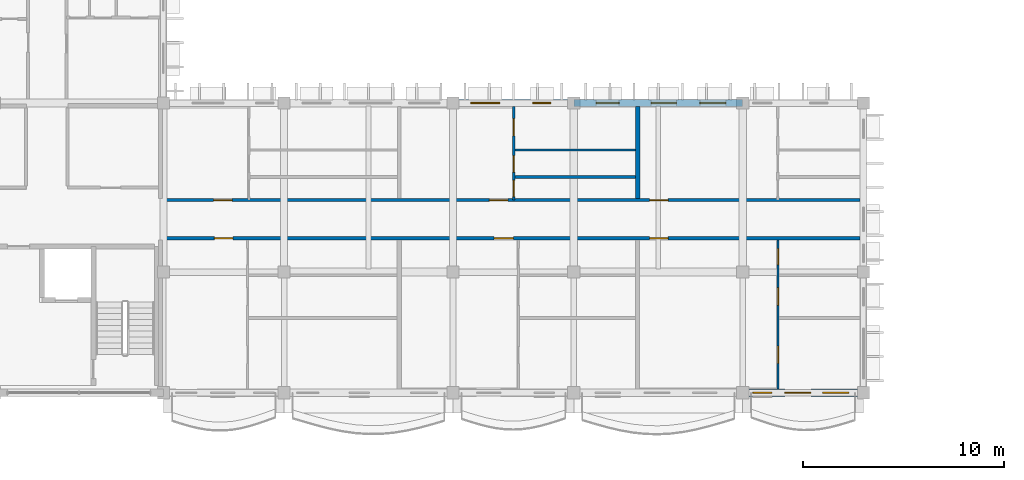
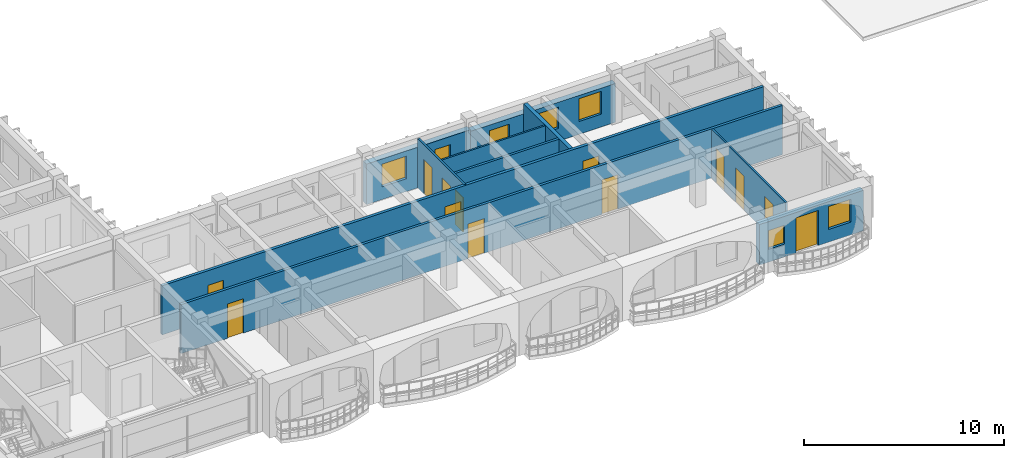
# One storey, part 44 of 101: 13 doors, 10 walls, 7 windows, 20 openings.
"""IFC4 building model written with IfcOpenShell, lengths in metres."""

from ifc_helpers import new_model, si_unit, direction, frame, frame_2d, origin, place, context, subcontext, project, spatial, rectangle, extrude, material, layer, layer_set, type_object, element, fill, save


model = new_model("IFC4")

# Units and contexts
model_context = context("Model", 3, precision=1e-05, world=origin(), true_north=direction((0.0, 1.0)))
body_context = subcontext(model_context, "Body", "Model", "MODEL_VIEW")
ifc_project = project(units=[si_unit("LENGTHUNIT", "METRE"), si_unit("AREAUNIT", "SQUARE_METRE"), si_unit("VOLUMEUNIT", "CUBIC_METRE"), si_unit("PLANEANGLEUNIT", "RADIAN"), si_unit("MASSUNIT", "GRAM", prefix="KILO"), si_unit("THERMODYNAMICTEMPERATUREUNIT", "KELVIN")], contexts=[model_context])

# Site, building, storey
site_placement = place(None, origin())
site = spatial("IfcSite", under=ifc_project, at=site_placement, CompositionType="ELEMENT")
building_placement = place(site_placement, origin())
building = spatial("IfcBuilding", under=site, at=building_placement, Name="Thalorik Housing Commons", CompositionType="ELEMENT")
storey_placement = place(building_placement, frame((0.0, 0.0, 8.10009765625)))
storey = spatial("IfcBuildingStorey", under=building, at=storey_placement, Name="L02", CompositionType="ELEMENT", Elevation=8.10009765625)

# Wall, openings, doors
ifc_material_1 = material(Name="Masonry fire-rated corridor wall", Category="masonry")
ifc_layer_1 = layer(ifc_material_1, 0.14990234375, Name="Masonry fire-rated corridor wall", Category="masonry")
ifc_layer_set_1 = layer_set([ifc_layer_1], Name="Masonry fire-rated corridor wall")
wall_type_1 = type_object("IfcWallType", Name="ARC-WAL-CORR-150", PredefinedType="PARTITIONING", material=ifc_layer_set_1)
wall_1_placement = place(storey_placement, frame((22.659912109375, 16.080078125, 0.0), z_axis=(0.0, 0.0, 1.0), x_axis=(1.0, 0.0, 0.0)))
wall_1 = element("IfcWall", 1, at=wall_1_placement, inside=storey, type_object=wall_type_1, Name="L02 Block C S Corridor Wall 1", PredefinedType="PARTITIONING", context=body_context, shape_type="SweptSolid", body=[
    extrude(rectangle(XDim=34.76318359375, YDim=0.14990234375, at=frame_2d((17.381591796875, 0.0))), origin(), (0.0, 0.0, 1.0), 3.0),
])
opening_1_placement = place(wall_1_placement, frame((2.671630859375, 0.0, 0.0)))
opening_1 = element("IfcOpeningElement", 2, at=opening_1_placement, cuts=wall_1, Name="Opening ID-1644", PredefinedType="OPENING", context=body_context, shape_type="SweptSolid", body=[
    extrude(rectangle(XDim=0.919921875, YDim=2.10009765625, at=frame_2d((0.4599609375, 1.050048828125))), frame((0.0, 0.0849609375, 0.0), z_axis=(0.0, -1.0, 0.0), x_axis=(1.0, 0.0, 0.0)), (0.0, 0.0, 1.0), 0.169921875),
])
opening_2_placement = place(wall_1_placement, frame((16.580078125, 0.0, 0.0)))
opening_2 = element("IfcOpeningElement", 3, at=opening_2_placement, cuts=wall_1, Name="Opening ID-1645", PredefinedType="OPENING", context=body_context, shape_type="SweptSolid", body=[
    extrude(rectangle(XDim=0.9599609375, YDim=2.1201171875, at=frame_2d((0.47998046875, 1.06005859375))), frame((0.0, 0.0849609375, 0.0), z_axis=(0.0, -1.0, 0.0), x_axis=(1.0, 0.0, 0.0)), (0.0, 0.0, 1.0), 0.169921875),
])
opening_3_placement = place(wall_1_placement, frame((24.31494140625, 0.0, 0.0)))
opening_3 = element("IfcOpeningElement", 4, at=opening_3_placement, cuts=wall_1, Name="Opening ID-1646", PredefinedType="OPENING", context=body_context, shape_type="SweptSolid", body=[
    extrude(rectangle(XDim=0.919921875, YDim=2.10009765625, at=frame_2d((0.4599609375, 1.050048828125))), frame((0.0, 0.0849609375, 0.0), z_axis=(0.0, -1.0, 0.0), x_axis=(1.0, 0.0, 0.0)), (0.0, 0.0, 1.0), 0.169921875),
])
ifc_material_2 = material(Name="Solid core hardwood timber", Category="wood")
door_type_1 = type_object("IfcDoorType", Name="ARC-DR-FD30-920", OperationType="NOTDEFINED", PredefinedType="DOOR", material=ifc_material_2)
door_1_placement = place(opening_1_placement, origin())
door_1 = element("IfcDoor", 5, at=door_1_placement, inside=storey, type_object=door_type_1, Name="L02 Flat CS-1A Entrance Door", OperationType="SINGLE_SWING_LEFT", OverallHeight=2.10009765625, OverallWidth=0.919921875, PredefinedType="DOOR", context=body_context, shape_type="SweptSolid", body=[
    extrude(rectangle(XDim=0.919921875, YDim=2.10009765625, at=frame_2d((0.4599609375, 1.050048828125))), frame((0.0, 0.02490234375, 0.0), z_axis=(0.0, -1.0, 0.0), x_axis=(1.0, 0.0, 0.0)), (0.0, 0.0, 1.0), 0.050048828125),
])
fill(opening_1, door_1)
door_2_placement = place(opening_3_placement, origin())
door_2 = element("IfcDoor", 6, at=door_2_placement, inside=storey, type_object=door_type_1, Name="L02 Flat CS-3A Entrance Door", OperationType="SINGLE_SWING_LEFT", OverallHeight=2.10009765625, OverallWidth=0.919921875, PredefinedType="DOOR", context=body_context, shape_type="SweptSolid", body=[
    extrude(rectangle(XDim=0.919921875, YDim=2.10009765625, at=frame_2d((0.4599609375, 1.050048828125))), frame((0.0, 0.02490234375, 0.0), z_axis=(0.0, -1.0, 0.0), x_axis=(1.0, 0.0, 0.0)), (0.0, 0.0, 1.0), 0.050048828125),
])
fill(opening_3, door_2)
door_type_2 = type_object("IfcDoorType", Name="ARC-DR-FD30-960", OperationType="NOTDEFINED", PredefinedType="DOOR", material=ifc_material_2)
door_3_placement = place(opening_2_placement, origin())
door_3 = element("IfcDoor", 7, at=door_3_placement, inside=storey, type_object=door_type_2, Name="L02 Flat CS-2A Entrance Door", OperationType="SINGLE_SWING_RIGHT", OverallHeight=2.1201171875, OverallWidth=0.9599609375, PredefinedType="DOOR", context=body_context, shape_type="SweptSolid", body=[
    extrude(rectangle(XDim=0.9599609375, YDim=2.1201171875, at=frame_2d((0.47998046875, 1.06005859375))), frame((0.0, 0.02490234375, 0.0), z_axis=(0.0, -1.0, 0.0), x_axis=(1.0, 0.0, 0.0)), (0.0, 0.0, 1.0), 0.050048828125),
])
fill(opening_2, door_3)

ifc_layer_2 = layer(ifc_material_1, 0.1650390625, Name="Masonry fire-rated corridor wall", Category="masonry")
ifc_layer_set_2 = layer_set([ifc_layer_2], Name="Masonry fire-rated corridor wall")
wall_type_2 = type_object("IfcWallType", Name="ARC-WAL-CORR-165", PredefinedType="PARTITIONING", material=ifc_layer_set_2)
wall_2_placement = place(storey_placement, frame((22.659912109375, 17.97998046875, 0.0), z_axis=(0.0, 0.0, 1.0), x_axis=(1.0, 0.0, 0.0)))
wall_2 = element("IfcWall", 8, at=wall_2_placement, inside=storey, type_object=wall_type_2, Name="L02 Block C S Corridor Wall 2", PredefinedType="PARTITIONING", context=body_context, shape_type="SweptSolid", body=[
    extrude(rectangle(XDim=34.76318359375, YDim=0.1650390625, at=frame_2d((17.381591796875, 0.0))), origin(), (0.0, 0.0, 1.0), 3.0),
])
opening_4_placement = place(wall_2_placement, frame((2.6328125, 0.0, 0.0)))
opening_4 = element("IfcOpeningElement", 9, at=opening_4_placement, cuts=wall_2, Name="Opening ID-1647", PredefinedType="OPENING", context=body_context, shape_type="SweptSolid", body=[
    extrude(rectangle(XDim=0.919921875, YDim=2.10009765625, at=frame_2d((0.4599609375, 1.050048828125))), frame((0.0, 0.092529296875, 0.0), z_axis=(0.0, -1.0, 0.0), x_axis=(1.0, 0.0, 0.0)), (0.0, 0.0, 1.0), 0.18505859375),
])
opening_5_placement = place(wall_2_placement, frame((16.3427734375, 0.0, 0.0)))
opening_5 = element("IfcOpeningElement", 10, at=opening_5_placement, cuts=wall_2, Name="Opening ID-1648", PredefinedType="OPENING", context=body_context, shape_type="SweptSolid", body=[
    extrude(rectangle(XDim=0.919921875, YDim=2.10009765625, at=frame_2d((0.4599609375, 1.050048828125))), frame((0.0, 0.092529296875, 0.0), z_axis=(0.0, -1.0, 0.0), x_axis=(1.0, 0.0, 0.0)), (0.0, 0.0, 1.0), 0.18505859375),
])
opening_6_placement = place(wall_2_placement, frame((24.3134765625, 0.0, 0.0)))
opening_6 = element("IfcOpeningElement", 11, at=opening_6_placement, cuts=wall_2, Name="Opening ID-1649", PredefinedType="OPENING", context=body_context, shape_type="SweptSolid", body=[
    extrude(rectangle(XDim=0.919921875, YDim=2.10009765625, at=frame_2d((0.4599609375, 1.050048828125))), frame((0.0, 0.092529296875, 0.0), z_axis=(0.0, -1.0, 0.0), x_axis=(1.0, 0.0, 0.0)), (0.0, 0.0, 1.0), 0.18505859375),
])
door_4_placement = place(opening_4_placement, origin())
door_4 = element("IfcDoor", 12, at=door_4_placement, inside=storey, type_object=door_type_1, Name="L02 Flat CS-1B Entrance Door", OperationType="SINGLE_SWING_RIGHT", OverallHeight=2.10009765625, OverallWidth=0.919921875, PredefinedType="DOOR", context=body_context, shape_type="SweptSolid", body=[
    extrude(rectangle(XDim=0.919921875, YDim=2.10009765625, at=frame_2d((0.4599609375, 1.050048828125))), frame((0.0, 0.02490234375, 0.0), z_axis=(0.0, -1.0, 0.0), x_axis=(1.0, 0.0, 0.0)), (0.0, 0.0, 1.0), 0.050048828125),
])
fill(opening_4, door_4)
door_5_placement = place(opening_5_placement, origin())
door_5 = element("IfcDoor", 13, at=door_5_placement, inside=storey, type_object=door_type_1, Name="L02 Flat CS-2B Entrance Door", OperationType="SINGLE_SWING_LEFT", OverallHeight=2.10009765625, OverallWidth=0.919921875, PredefinedType="DOOR", context=body_context, shape_type="SweptSolid", body=[
    extrude(rectangle(XDim=0.919921875, YDim=2.10009765625, at=frame_2d((0.4599609375, 1.050048828125))), frame((0.0, 0.02490234375, 0.0), z_axis=(0.0, -1.0, 0.0), x_axis=(1.0, 0.0, 0.0)), (0.0, 0.0, 1.0), 0.050048828125),
])
fill(opening_5, door_5)
door_6_placement = place(opening_6_placement, origin())
door_6 = element("IfcDoor", 14, at=door_6_placement, inside=storey, type_object=door_type_1, Name="L02 Flat CS-3B Entrance Door", OperationType="SINGLE_SWING_RIGHT", OverallHeight=2.10009765625, OverallWidth=0.919921875, PredefinedType="DOOR", context=body_context, shape_type="SweptSolid", body=[
    extrude(rectangle(XDim=0.919921875, YDim=2.10009765625, at=frame_2d((0.4599609375, 1.050048828125))), frame((0.0, 0.02490234375, 0.0), z_axis=(0.0, -1.0, 0.0), x_axis=(1.0, 0.0, 0.0)), (0.0, 0.0, 1.0), 0.050048828125),
])
fill(opening_6, door_6)

# Wall, openings, door, windows
ifc_material_3 = material(Name="White precast concrete C40/50", Category="concrete")
ifc_layer_3 = layer(ifc_material_3, 0.35009765625, Name="White precast concrete C40/50", Category="concrete")
ifc_layer_set_3 = layer_set([ifc_layer_3], Name="White precast concrete C40/50")
wall_type_3 = type_object("IfcWallType", Name="ARC-WAL-EXT-350", PredefinedType="STANDARD", material=ifc_layer_set_3)
wall_3_placement = place(storey_placement, frame((51.60009765625, 8.39990234375, 0.0), z_axis=(0.0, 0.0, 1.0), x_axis=(1.0, 0.0, 0.0)))
wall_3 = element("IfcWall", 15, at=wall_3_placement, inside=storey, type_object=wall_type_3, Name="L02 Exterior Wall WAL-EXT-L02-C-0897", PredefinedType="STANDARD", context=body_context, shape_type="SweptSolid", body=[
    extrude(rectangle(XDim=6.0, YDim=0.35009765625, at=frame_2d((3.0, 0.0))), origin(), (0.0, 0.0, 1.0), 2.474853515625),
])
opening_7_placement = place(wall_3_placement, frame((2.090087890625, 0.0, 0.0)))
opening_7 = element("IfcOpeningElement", 16, at=opening_7_placement, cuts=wall_3, Name="Opening ED-0297", PredefinedType="OPENING", context=body_context, shape_type="SweptSolid", body=[
    extrude(rectangle(XDim=1.300048828125, YDim=2.14990234375, at=frame_2d((0.64990234375, 1.074951171875))), frame((0.0, 0.18505859375, 0.0), z_axis=(0.0, -1.0, 0.0), x_axis=(1.0, 0.0, 0.0)), (0.0, 0.0, 1.0), 0.3701171875),
])
opening_8_placement = place(wall_3_placement, frame((0.5, 0.0, 0.780029296875)))
opening_8 = element("IfcOpeningElement", 17, at=opening_8_placement, cuts=wall_3, Name="Opening W-43", PredefinedType="OPENING", context=body_context, shape_type="SweptSolid", body=[
    extrude(rectangle(XDim=0.949951171875, YDim=1.14990234375, at=frame_2d((0.47509765625, 0.574951171875))), frame((0.0, 0.18505859375, 0.0), z_axis=(0.0, -1.0, 0.0), x_axis=(1.0, 0.0, 0.0)), (0.0, 0.0, 1.0), 0.3701171875),
])
opening_9_placement = place(wall_3_placement, frame((3.97509765625, 0.0, 0.780029296875)))
opening_9 = element("IfcOpeningElement", 18, at=opening_9_placement, cuts=wall_3, Name="Opening W-06", PredefinedType="OPENING", context=body_context, shape_type="SweptSolid", body=[
    extrude(rectangle(XDim=1.300048828125, YDim=1.39990234375, at=frame_2d((0.64990234375, 0.699951171875))), frame((0.0, 0.18505859375, 0.0), z_axis=(0.0, -1.0, 0.0), x_axis=(1.0, 0.0, 0.0)), (0.0, 0.0, 1.0), 0.3701171875),
])
ifc_material_4 = material(Name="Anodised aluminium and laminated safety glass", Category="aluminium")
door_type_3 = type_object("IfcDoorType", Name="ARC-DR-BAL-1300", OperationType="NOTDEFINED", PredefinedType="DOOR", material=ifc_material_4)
door_7_placement = place(opening_7_placement, frame((1.300048828125, 0.0, 0.0), z_axis=(0.0, 0.0, 1.0), x_axis=(-1.0, 0.0, 0.0)))
door_7 = element("IfcDoor", 19, at=door_7_placement, inside=storey, type_object=door_type_3, Name="L02 Block C Balcony Glazed Door", OperationType="SINGLE_SWING_RIGHT", OverallHeight=2.14990234375, OverallWidth=1.300048828125, PredefinedType="DOOR", context=body_context, shape_type="SweptSolid", body=[
    extrude(rectangle(XDim=1.300048828125, YDim=2.14990234375, at=frame_2d((0.64990234375, 1.074951171875))), frame((0.0, 0.02490234375, 0.0), z_axis=(0.0, -1.0, 0.0), x_axis=(1.0, 0.0, 0.0)), (0.0, 0.0, 1.0), 0.050048828125),
])
fill(opening_7, door_7)
ifc_material_5 = material(Name="Anodised aluminium and solar-control low-E glass", Category="aluminium")
window_type_1 = type_object("IfcWindowType", Name="ARC-WIN-06", PartitioningType="SINGLE_PANEL", PredefinedType="WINDOW", material=ifc_material_5)
window_1_placement = place(opening_9_placement, origin())
window_1 = element("IfcWindow", 20, at=window_1_placement, inside=storey, type_object=window_type_1, Name="L02 Facade Window 1657", OverallHeight=1.39990234375, OverallWidth=1.300048828125, PartitioningType="SINGLE_PANEL", PredefinedType="WINDOW", context=body_context, shape_type="SweptSolid", body=[
    extrude(rectangle(XDim=1.300048828125, YDim=1.39990234375, at=frame_2d((0.64990234375, 0.699951171875))), frame((0.0, 0.030029296875, 0.0), z_axis=(0.0, -1.0, 0.0), x_axis=(1.0, 0.0, 0.0)), (0.0, 0.0, 1.0), 0.06005859375),
])
fill(opening_9, window_1)
window_type_2 = type_object("IfcWindowType", Name="ARC-WIN-43", PartitioningType="SINGLE_PANEL", PredefinedType="WINDOW", material=ifc_material_5)
window_2_placement = place(opening_8_placement, origin())
window_2 = element("IfcWindow", 21, at=window_2_placement, inside=storey, type_object=window_type_2, Name="L02 Facade Window 1656", OverallHeight=1.14990234375, OverallWidth=0.949951171875, PartitioningType="SINGLE_PANEL", PredefinedType="WINDOW", context=body_context, shape_type="SweptSolid", body=[
    extrude(rectangle(XDim=0.949951171875, YDim=1.14990234375, at=frame_2d((0.47509765625, 0.574951171875))), frame((0.0, 0.030029296875, 0.0), z_axis=(0.0, -1.0, 0.0), x_axis=(1.0, 0.0, 0.0)), (0.0, 0.0, 1.0), 0.06005859375),
])
fill(opening_8, window_2)

# Wall, openings, windows
wall_4_placement = place(storey_placement, frame((51.60009765625, 22.800048828125, 0.0), z_axis=(0.0, 0.0, 1.0), x_axis=(-1.0, 0.0, 0.0)))
wall_4 = element("IfcWall", 22, at=wall_4_placement, inside=storey, type_object=wall_type_3, Name="L02 Exterior Wall WAL-EXT-L02-C-0901", PredefinedType="STANDARD", context=body_context, shape_type="SweptSolid", body=[
    extrude(rectangle(XDim=8.400146484375, YDim=0.35009765625, at=frame_2d((4.2001953125, 0.0))), origin(), (0.0, 0.0, 1.0), 2.375),
])
opening_10_placement = place(wall_4_placement, frame((0.83251953125, 0.0, 0.780029296875)))
opening_10 = element("IfcOpeningElement", 23, at=opening_10_placement, cuts=wall_4, Name="Opening W-06", PredefinedType="OPENING", context=body_context, shape_type="SweptSolid", body=[
    extrude(rectangle(XDim=1.300048828125, YDim=1.39990234375, at=frame_2d((0.64990234375, 0.699951171875))), frame((0.0, 0.18505859375, 0.0), z_axis=(0.0, -1.0, 0.0), x_axis=(1.0, 0.0, 0.0)), (0.0, 0.0, 1.0), 0.3701171875),
])
opening_11_placement = place(wall_4_placement, frame((3.302490234375, 0.0, 0.780029296875)))
opening_11 = element("IfcOpeningElement", 24, at=opening_11_placement, cuts=wall_4, Name="Opening W-46", PredefinedType="OPENING", context=body_context, shape_type="SweptSolid", body=[
    extrude(rectangle(XDim=1.25, YDim=1.300048828125, at=frame_2d((0.625, 0.64990234375))), frame((0.0, 0.18505859375, 0.0), z_axis=(0.0, -1.0, 0.0), x_axis=(1.0, 0.0, 0.0)), (0.0, 0.0, 1.0), 0.3701171875),
])
opening_12_placement = place(wall_4_placement, frame((6.139892578125, 0.0, 0.780029296875)))
opening_12 = element("IfcOpeningElement", 25, at=opening_12_placement, cuts=wall_4, Name="Opening W-45", PredefinedType="OPENING", context=body_context, shape_type="SweptSolid", body=[
    extrude(rectangle(XDim=1.14990234375, YDim=1.25, at=frame_2d((0.574951171875, 0.625))), frame((0.0, 0.18505859375, 0.0), z_axis=(0.0, -1.0, 0.0), x_axis=(1.0, 0.0, 0.0)), (0.0, 0.0, 1.0), 0.3701171875),
])
window_3_placement = place(opening_10_placement, origin())
window_3 = element("IfcWindow", 26, at=window_3_placement, inside=storey, type_object=window_type_1, Name="L02 Facade Window 1665", OverallHeight=1.39990234375, OverallWidth=1.300048828125, PartitioningType="SINGLE_PANEL", PredefinedType="WINDOW", context=body_context, shape_type="SweptSolid", body=[
    extrude(rectangle(XDim=1.300048828125, YDim=1.39990234375, at=frame_2d((0.64990234375, 0.699951171875))), frame((0.0, 0.030029296875, 0.0), z_axis=(0.0, -1.0, 0.0), x_axis=(1.0, 0.0, 0.0)), (0.0, 0.0, 1.0), 0.06005859375),
])
fill(opening_10, window_3)
window_type_3 = type_object("IfcWindowType", Name="ARC-WIN-45", PartitioningType="SINGLE_PANEL", PredefinedType="WINDOW", material=ifc_material_5)
window_4_placement = place(opening_12_placement, origin())
window_4 = element("IfcWindow", 27, at=window_4_placement, inside=storey, type_object=window_type_3, Name="L02 Facade Window 1667", OverallHeight=1.25, OverallWidth=1.14990234375, PartitioningType="SINGLE_PANEL", PredefinedType="WINDOW", context=body_context, shape_type="SweptSolid", body=[
    extrude(rectangle(XDim=1.14990234375, YDim=1.25, at=frame_2d((0.574951171875, 0.625))), frame((0.0, 0.030029296875, 0.0), z_axis=(0.0, -1.0, 0.0), x_axis=(1.0, 0.0, 0.0)), (0.0, 0.0, 1.0), 0.06005859375),
])
fill(opening_12, window_4)
window_type_4 = type_object("IfcWindowType", Name="ARC-WIN-46", PartitioningType="SINGLE_PANEL", PredefinedType="WINDOW", material=ifc_material_5)
window_5_placement = place(opening_11_placement, origin())
window_5 = element("IfcWindow", 28, at=window_5_placement, inside=storey, type_object=window_type_4, Name="L02 Facade Window 1666", OverallHeight=1.300048828125, OverallWidth=1.25, PartitioningType="SINGLE_PANEL", PredefinedType="WINDOW", context=body_context, shape_type="SweptSolid", body=[
    extrude(rectangle(XDim=1.25, YDim=1.300048828125, at=frame_2d((0.625, 0.64990234375))), frame((0.0, 0.030029296875, 0.0), z_axis=(0.0, -1.0, 0.0), x_axis=(1.0, 0.0, 0.0)), (0.0, 0.0, 1.0), 0.06005859375),
])
fill(opening_11, window_5)

wall_5_placement = place(storey_placement, frame((43.199951171875, 22.800048828125, 0.0), z_axis=(0.0, 0.0, 1.0), x_axis=(-1.0, 0.0, 0.0)))
wall_5 = element("IfcWall", 29, at=wall_5_placement, inside=storey, type_object=wall_type_3, Name="L02 Exterior Wall WAL-EXT-L02-C-0902", PredefinedType="STANDARD", context=body_context, shape_type="SweptSolid", body=[
    extrude(rectangle(XDim=6.0, YDim=0.35009765625, at=frame_2d((3.0, 0.0))), origin(), (0.0, 0.0, 1.0), 2.474853515625),
])
opening_13_placement = place(wall_5_placement, frame((1.138671875, 0.0, 0.780029296875)))
opening_13 = element("IfcOpeningElement", 30, at=opening_13_placement, cuts=wall_5, Name="Opening W-01", PredefinedType="OPENING", context=body_context, shape_type="SweptSolid", body=[
    extrude(rectangle(XDim=0.89990234375, YDim=1.199951171875, at=frame_2d((0.449951171875, 0.60009765625))), frame((0.0, 0.18505859375, 0.0), z_axis=(0.0, -1.0, 0.0), x_axis=(1.0, 0.0, 0.0)), (0.0, 0.0, 1.0), 0.3701171875),
])
opening_14_placement = place(wall_5_placement, frame((3.688720703125, 0.0, 0.780029296875)))
opening_14 = element("IfcOpeningElement", 31, at=opening_14_placement, cuts=wall_5, Name="Opening W-50", PredefinedType="OPENING", context=body_context, shape_type="SweptSolid", body=[
    extrude(rectangle(XDim=1.419921875, YDim=1.3798828125, at=frame_2d((0.7099609375, 0.68994140625))), frame((0.0, 0.18505859375, 0.0), z_axis=(0.0, -1.0, 0.0), x_axis=(1.0, 0.0, 0.0)), (0.0, 0.0, 1.0), 0.3701171875),
])
window_type_5 = type_object("IfcWindowType", Name="ARC-WIN-01", PartitioningType="SINGLE_PANEL", PredefinedType="WINDOW", material=ifc_material_5)
window_6_placement = place(opening_13_placement, origin())
window_6 = element("IfcWindow", 32, at=window_6_placement, inside=storey, type_object=window_type_5, Name="L02 Facade Window 1668", OverallHeight=1.199951171875, OverallWidth=0.89990234375, PartitioningType="SINGLE_PANEL", PredefinedType="WINDOW", context=body_context, shape_type="SweptSolid", body=[
    extrude(rectangle(XDim=0.89990234375, YDim=1.199951171875, at=frame_2d((0.449951171875, 0.60009765625))), frame((0.0, 0.030029296875, 0.0), z_axis=(0.0, -1.0, 0.0), x_axis=(1.0, 0.0, 0.0)), (0.0, 0.0, 1.0), 0.06005859375),
])
fill(opening_13, window_6)
window_type_6 = type_object("IfcWindowType", Name="ARC-WIN-50", PartitioningType="SINGLE_PANEL", PredefinedType="WINDOW", material=ifc_material_5)
window_7_placement = place(opening_14_placement, origin())
window_7 = element("IfcWindow", 33, at=window_7_placement, inside=storey, type_object=window_type_6, Name="L02 Facade Window 1669", OverallHeight=1.3798828125, OverallWidth=1.419921875, PartitioningType="SINGLE_PANEL", PredefinedType="WINDOW", context=body_context, shape_type="SweptSolid", body=[
    extrude(rectangle(XDim=1.419921875, YDim=1.3798828125, at=frame_2d((0.7099609375, 0.68994140625))), frame((0.0, 0.030029296875, 0.0), z_axis=(0.0, -1.0, 0.0), x_axis=(1.0, 0.0, 0.0)), (0.0, 0.0, 1.0), 0.06005859375),
])
fill(opening_14, window_7)

# Wall
ifc_material_6 = material(Name="Gypsum light stud partition", Category="masonry")
ifc_layer_4 = layer(ifc_material_6, 0.10009765625, Name="Gypsum light stud partition", Category="masonry")
ifc_layer_set_4 = layer_set([ifc_layer_4], Name="Gypsum light stud partition")
wall_type_4 = type_object("IfcWallType", Name="ARC-WAL-PART-100", PredefinedType="PARTITIONING", material=ifc_layer_set_4)
wall_6_placement = place(storey_placement, frame((40.272216796875, 20.455078125, 0.0), z_axis=(0.0, 0.0, 1.0), x_axis=(1.0, 0.0, 0.0)))
element("IfcWall", 34, at=wall_6_placement, inside=storey, type_object=wall_type_4, Name="L02 Unit 2B Bedroom Partition", PredefinedType="PARTITIONING", context=body_context, shape_type="SweptSolid", body=[
    extrude(rectangle(XDim=5.995849609375, YDim=0.10009765625, at=frame_2d((2.998046875, 0.0))), origin(), (0.0, 0.0, 1.0), 3.0),
])

# Wall, openings, doors
wall_7_placement = place(storey_placement, frame((53.360107421875, 8.576904296875, 0.0), z_axis=(0.0, 0.0, 1.0), x_axis=(0.0, 1.0, 0.0)))
wall_7 = element("IfcWall", 35, at=wall_7_placement, inside=storey, type_object=wall_type_4, Name="L02 Unit 3 Spine Partition", PredefinedType="PARTITIONING", context=body_context, shape_type="SweptSolid", body=[
    extrude(rectangle(XDim=7.426025390625, YDim=0.10009765625, at=frame_2d((3.712890625, 0.0))), origin(), (0.0, 0.0, 1.0), 3.0),
])
opening_15_placement = place(wall_7_placement, frame((1.286865234375, 0.0, 0.0)))
opening_15 = element("IfcOpeningElement", 36, at=opening_15_placement, cuts=wall_7, Name="Opening ID-1638", PredefinedType="OPENING", context=body_context, shape_type="SweptSolid", body=[
    extrude(rectangle(XDim=0.85009765625, YDim=2.10009765625, at=frame_2d((0.425048828125, 1.050048828125))), frame((0.0, 0.06005859375, 0.0), z_axis=(0.0, -1.0, 0.0), x_axis=(1.0, 0.0, 0.0)), (0.0, 0.0, 1.0), 0.1201171875),
])
opening_16_placement = place(wall_7_placement, frame((4.182373046875, 0.0, 0.0)))
opening_16 = element("IfcOpeningElement", 37, at=opening_16_placement, cuts=wall_7, Name="Opening ID-1639", PredefinedType="OPENING", context=body_context, shape_type="SweptSolid", body=[
    extrude(rectangle(XDim=0.85009765625, YDim=2.10009765625, at=frame_2d((0.425048828125, 1.050048828125))), frame((0.0, 0.06005859375, 0.0), z_axis=(0.0, -1.0, 0.0), x_axis=(1.0, 0.0, 0.0)), (0.0, 0.0, 1.0), 0.1201171875),
])
opening_17_placement = place(wall_7_placement, frame((6.188720703125, 0.0, 0.0)))
opening_17 = element("IfcOpeningElement", 38, at=opening_17_placement, cuts=wall_7, Name="Opening ID-1640", PredefinedType="OPENING", context=body_context, shape_type="SweptSolid", body=[
    extrude(rectangle(XDim=0.800048828125, YDim=2.10009765625, at=frame_2d((0.39990234375, 1.050048828125))), frame((0.0, 0.06005859375, 0.0), z_axis=(0.0, -1.0, 0.0), x_axis=(1.0, 0.0, 0.0)), (0.0, 0.0, 1.0), 0.1201171875),
])
ifc_material_7 = material(Name="Moisture-resistant timber", Category="wood")
door_type_4 = type_object("IfcDoorType", Name="ARC-DR-INT-800", OperationType="NOTDEFINED", PredefinedType="DOOR", material=ifc_material_7)
door_8_placement = place(opening_17_placement, origin())
door_8 = element("IfcDoor", 39, at=door_8_placement, inside=storey, type_object=door_type_4, Name="L02 Flat Bathroom Door", OperationType="SINGLE_SWING_LEFT", OverallHeight=2.10009765625, OverallWidth=0.800048828125, PredefinedType="DOOR", context=body_context, shape_type="SweptSolid", body=[
    extrude(rectangle(XDim=0.800048828125, YDim=2.10009765625, at=frame_2d((0.39990234375, 1.050048828125))), frame((0.0, 0.02490234375, 0.0), z_axis=(0.0, -1.0, 0.0), x_axis=(1.0, 0.0, 0.0)), (0.0, 0.0, 1.0), 0.050048828125),
])
fill(opening_17, door_8)
ifc_material_8 = material(Name="Engineered oak timber", Category="wood")
door_type_5 = type_object("IfcDoorType", Name="ARC-DR-INT-850", OperationType="NOTDEFINED", PredefinedType="DOOR", material=ifc_material_8)
door_9_placement = place(opening_15_placement, origin())
door_9 = element("IfcDoor", 40, at=door_9_placement, inside=storey, type_object=door_type_5, Name="L02 Double Bedroom Door", OperationType="SINGLE_SWING_LEFT", OverallHeight=2.10009765625, OverallWidth=0.85009765625, PredefinedType="DOOR", context=body_context, shape_type="SweptSolid", body=[
    extrude(rectangle(XDim=0.85009765625, YDim=2.10009765625, at=frame_2d((0.425048828125, 1.050048828125))), frame((0.0, 0.02490234375, 0.0), z_axis=(0.0, -1.0, 0.0), x_axis=(1.0, 0.0, 0.0)), (0.0, 0.0, 1.0), 0.050048828125),
])
fill(opening_15, door_9)
door_10_placement = place(opening_16_placement, origin())
door_10 = element("IfcDoor", 41, at=door_10_placement, inside=storey, type_object=door_type_5, Name="L02 Galley Kitchen Door", OperationType="SINGLE_SWING_RIGHT", OverallHeight=2.10009765625, OverallWidth=0.85009765625, PredefinedType="DOOR", context=body_context, shape_type="SweptSolid", body=[
    extrude(rectangle(XDim=0.85009765625, YDim=2.10009765625, at=frame_2d((0.425048828125, 1.050048828125))), frame((0.0, 0.02490234375, 0.0), z_axis=(0.0, -1.0, 0.0), x_axis=(1.0, 0.0, 0.0)), (0.0, 0.0, 1.0), 0.050048828125),
])
fill(opening_16, door_10)

ifc_material_9 = material(Name="Gypsum moisture-resistant partition", Category="masonry")
ifc_layer_5 = layer(ifc_material_9, 0.114990234375, Name="Gypsum moisture-resistant partition", Category="masonry")
ifc_layer_set_5 = layer_set([ifc_layer_5], Name="Gypsum moisture-resistant partition")
wall_type_5 = type_object("IfcWallType", Name="ARC-WAL-PART-115", PredefinedType="PARTITIONING", material=ifc_layer_set_5)
wall_8_placement = place(storey_placement, frame((40.212890625, 17.97998046875, 0.0), z_axis=(0.0, 0.0, 1.0), x_axis=(0.0, 1.0, 0.0)))
wall_8 = element("IfcWall", 42, at=wall_8_placement, inside=storey, type_object=wall_type_5, Name="L02 Unit 2B Spine Partition", PredefinedType="PARTITIONING", context=body_context, shape_type="SweptSolid", body=[
    extrude(rectangle(XDim=4.64306640625, YDim=0.114990234375, at=frame_2d((2.321533203125, 0.0))), origin(), (0.0, 0.0, 1.0), 3.0),
])
opening_18_placement = place(wall_8_placement, frame((0.171142578125, 0.0, 0.0)))
opening_18 = element("IfcOpeningElement", 43, at=opening_18_placement, cuts=wall_8, Name="Opening ID-1635", PredefinedType="OPENING", context=body_context, shape_type="SweptSolid", body=[
    extrude(rectangle(XDim=0.800048828125, YDim=2.10009765625, at=frame_2d((0.39990234375, 1.050048828125))), frame((0.0, 0.0673828125, 0.0), z_axis=(0.0, -1.0, 0.0), x_axis=(1.0, 0.0, 0.0)), (0.0, 0.0, 1.0), 0.135009765625),
])
opening_19_placement = place(wall_8_placement, frame((1.3837890625, 0.0, 0.0)))
opening_19 = element("IfcOpeningElement", 44, at=opening_19_placement, cuts=wall_8, Name="Opening ID-1636", PredefinedType="OPENING", context=body_context, shape_type="SweptSolid", body=[
    extrude(rectangle(XDim=0.820068359375, YDim=2.080078125, at=frame_2d((0.41015625, 1.0400390625))), frame((0.0, 0.0673828125, 0.0), z_axis=(0.0, -1.0, 0.0), x_axis=(1.0, 0.0, 0.0)), (0.0, 0.0, 1.0), 0.135009765625),
])
opening_20_placement = place(wall_8_placement, frame((3.192626953125, 0.0, 0.0)))
opening_20 = element("IfcOpeningElement", 45, at=opening_20_placement, cuts=wall_8, Name="Opening ID-1637", PredefinedType="OPENING", context=body_context, shape_type="SweptSolid", body=[
    extrude(rectangle(XDim=0.85009765625, YDim=2.10009765625, at=frame_2d((0.425048828125, 1.050048828125))), frame((0.0, 0.0673828125, 0.0), z_axis=(0.0, -1.0, 0.0), x_axis=(1.0, 0.0, 0.0)), (0.0, 0.0, 1.0), 0.135009765625),
])
door_11_placement = place(opening_18_placement, origin())
door_11 = element("IfcDoor", 46, at=door_11_placement, inside=storey, type_object=door_type_4, Name="L02 Flat Bathroom Door", OperationType="SINGLE_SWING_RIGHT", OverallHeight=2.10009765625, OverallWidth=0.800048828125, PredefinedType="DOOR", context=body_context, shape_type="SweptSolid", body=[
    extrude(rectangle(XDim=0.800048828125, YDim=2.10009765625, at=frame_2d((0.39990234375, 1.050048828125))), frame((0.0, 0.02490234375, 0.0), z_axis=(0.0, -1.0, 0.0), x_axis=(1.0, 0.0, 0.0)), (0.0, 0.0, 1.0), 0.050048828125),
])
fill(opening_18, door_11)
door_type_6 = type_object("IfcDoorType", Name="ARC-DR-INT-820", OperationType="NOTDEFINED", PredefinedType="DOOR", material=ifc_material_8)
door_12_placement = place(opening_19_placement, origin())
door_12 = element("IfcDoor", 47, at=door_12_placement, inside=storey, type_object=door_type_6, Name="L02 Galley Kitchen Door", OperationType="SINGLE_SWING_LEFT", OverallHeight=2.080078125, OverallWidth=0.820068359375, PredefinedType="DOOR", context=body_context, shape_type="SweptSolid", body=[
    extrude(rectangle(XDim=0.820068359375, YDim=2.080078125, at=frame_2d((0.41015625, 1.0400390625))), frame((0.0, 0.02490234375, 0.0), z_axis=(0.0, -1.0, 0.0), x_axis=(1.0, 0.0, 0.0)), (0.0, 0.0, 1.0), 0.050048828125),
])
fill(opening_19, door_12)
door_13_placement = place(opening_20_placement, origin())
door_13 = element("IfcDoor", 48, at=door_13_placement, inside=storey, type_object=door_type_5, Name="L02 Single Bedroom Door", OperationType="SINGLE_SWING_RIGHT", OverallHeight=2.10009765625, OverallWidth=0.85009765625, PredefinedType="DOOR", context=body_context, shape_type="SweptSolid", body=[
    extrude(rectangle(XDim=0.85009765625, YDim=2.10009765625, at=frame_2d((0.425048828125, 1.050048828125))), frame((0.0, 0.02490234375, 0.0), z_axis=(0.0, -1.0, 0.0), x_axis=(1.0, 0.0, 0.0)), (0.0, 0.0, 1.0), 0.050048828125),
])
fill(opening_20, door_13)

# Walls
ifc_material_10 = material(Name="Ceramic masonry partition wall", Category="masonry")
ifc_layer_6 = layer(ifc_material_10, 0.139892578125, Name="Ceramic masonry partition wall", Category="masonry")
ifc_layer_set_6 = layer_set([ifc_layer_6], Name="Ceramic masonry partition wall")
wall_type_6 = type_object("IfcWallType", Name="ARC-WAL-PART-140", PredefinedType="PARTITIONING", material=ifc_layer_set_6)
wall_9_placement = place(storey_placement, frame((40.272216796875, 19.122314453125, 0.0), z_axis=(0.0, 0.0, 1.0), x_axis=(1.0, 0.0, 0.0)))
element("IfcWall", 49, at=wall_9_placement, inside=storey, type_object=wall_type_6, Name="L02 Unit 2B Wet Wall", PredefinedType="PARTITIONING", context=body_context, shape_type="SweptSolid", body=[
    extrude(rectangle(XDim=5.995849609375, YDim=0.139892578125, at=frame_2d((2.998046875, 0.0))), origin(), (0.0, 0.0, 1.0), 3.0),
])
ifc_material_11 = material(Name="Precast concrete C40/50 acoustic wall", Category="concrete")
ifc_layer_7 = layer(ifc_material_11, 0.219970703125, Name="Precast concrete C40/50 acoustic wall", Category="concrete")
ifc_layer_set_7 = layer_set([ifc_layer_7], Name="Precast concrete C40/50 acoustic wall")
wall_type_7 = type_object("IfcWallType", Name="ARC-WAL-PARTY-220", PredefinedType="PARTITIONING", material=ifc_layer_set_7)
wall_10_placement = place(storey_placement, frame((46.3798828125, 18.064453125, 0.0), z_axis=(0.0, 0.0, 1.0), x_axis=(0.0, 1.0, 0.0)))
element("IfcWall", 50, at=wall_10_placement, inside=storey, type_object=wall_type_7, Name="L02 Inter-Tenancy Wall 2B", PredefinedType="PARTITIONING", context=body_context, shape_type="SweptSolid", body=[
    extrude(rectangle(XDim=4.55859375, YDim=0.219970703125, at=frame_2d((2.279296875, 0.0))), origin(), (0.0, 0.0, 1.0), 3.0),
])

save(model, "model.ifc")
